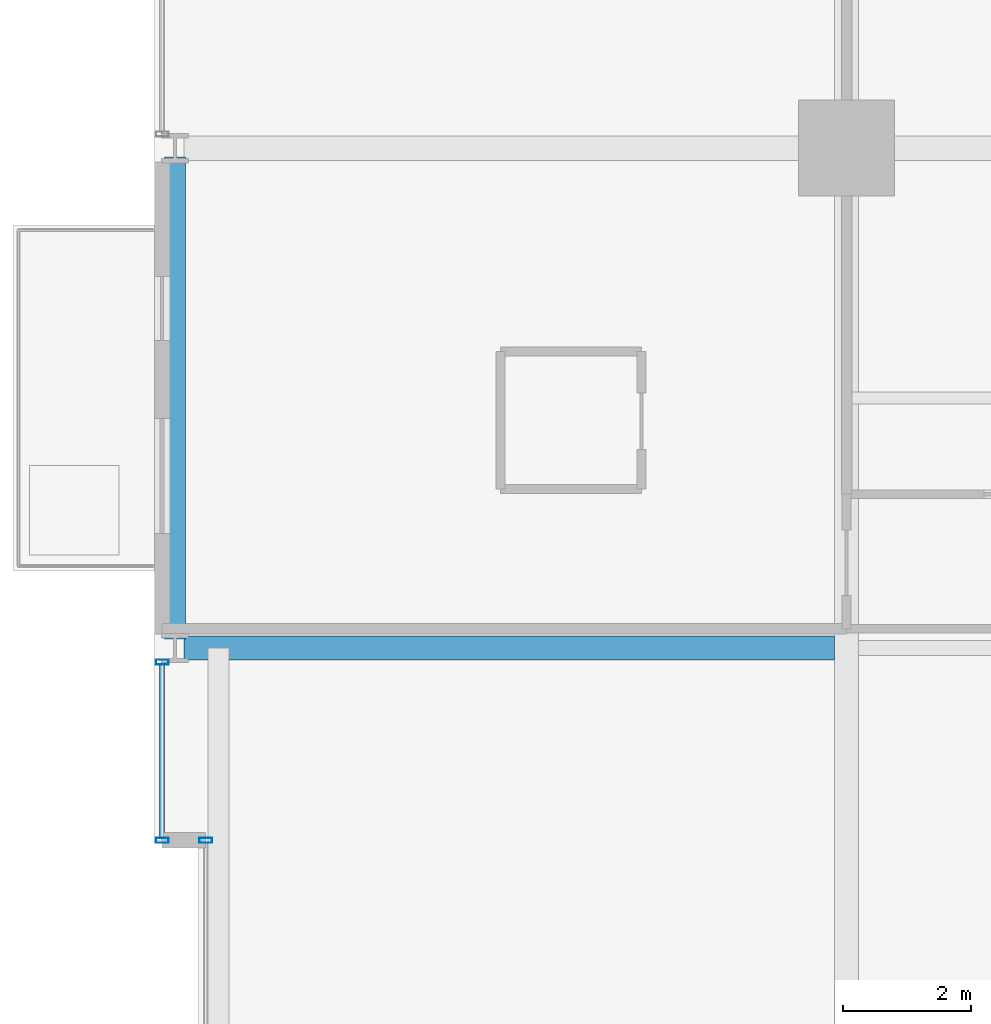
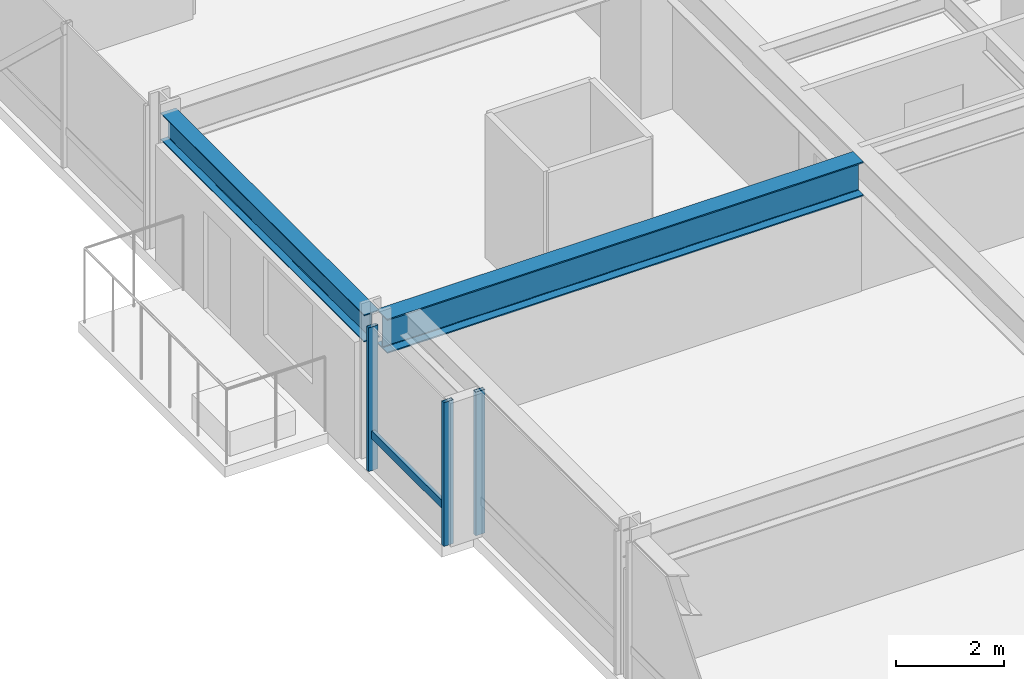
# One storey, part 16 of 33: 4 members, 2 beams, 2 elements without a shape of their own.
"""IFC4 building model written with IfcOpenShell, lengths in metres."""

from ifc_helpers import new_model, si_unit, direction, frame, origin, origin_2d, place, context, subcontext, project, spatial, hollow_rectangle, i_section, extrude, material, layer, layer_set, material_profile, profile_set, type_object, element, aggregate, save


model = new_model("IFC4")

# Units and contexts
model_context = context("Model", 3, precision=1e-05, world=origin(), true_north=direction((0.0, 1.0)))
body_context = subcontext(model_context, "Body", "Model", "MODEL_VIEW")
ifc_project = project(units=[si_unit("LENGTHUNIT", "METRE"), si_unit("AREAUNIT", "SQUARE_METRE"), si_unit("VOLUMEUNIT", "CUBIC_METRE"), si_unit("PLANEANGLEUNIT", "RADIAN"), si_unit("MASSUNIT", "GRAM", prefix="KILO")], contexts=[model_context])

# Site, building, storey
site_placement = place(None, origin())
site = spatial("IfcSite", under=ifc_project, at=site_placement, CompositionType="ELEMENT")
building_placement = place(site_placement, origin())
building = spatial("IfcBuilding", under=site, at=building_placement, Name="Drelvath Grand Hotel", CompositionType="ELEMENT")
storey_placement = place(building_placement, frame((0.0, 0.0, 105.800048828125)))
storey = spatial("IfcBuildingStorey", under=building, at=storey_placement, Name="L26", CompositionType="ELEMENT", Elevation=105.800048828125)

# Curtain wall, member
ifc_material_1 = material(Name="Champagne Bronze Anodised Aluminium Frame", Category="aluminium")
ifc_layer = layer(ifc_material_1, 0.199951171875)
ifc_layer_set = layer_set([ifc_layer], Name="Champagne Bronze Anodised Aluminium Frame")
curtain_wall_type = type_object("IfcCurtainWallType", Name="Stick Curtain Wall CW-03 Champagne Bronze Mid-Rise", PredefinedType="NOTDEFINED", material=ifc_layer_set)
curtain_wall_1_placement = place(storey_placement, origin())
curtain_wall_1 = element("IfcCurtainWall", 1, at=curtain_wall_1_placement, inside=storey, type_object=curtain_wall_type, Name="L26 CW-03 Curtain Wall CW03-L26-WN1", PredefinedType="NOTDEFINED")
ifc_material_profile_1 = material_profile(ifc_material_1, hollow_rectangle(XDim=0.074951171875, YDim=0.179931640625, WallThickness=0.0048828125, at=origin_2d()), Name="HSS180X75X5")
ifc_profile_set_1 = profile_set([ifc_material_profile_1], Name="Champagne Bronze Anodised Aluminium Frame")
member_type_1 = type_object("IfcMemberType", Name="Curtain Wall Horizontal Transom CW-03 HSS180X75X5", PredefinedType="USERDEFINED", material=ifc_profile_set_1)
member_1_placement = place(storey_placement, frame((-26.8798828125, 32.43994140625, 0.81005859375), z_axis=(0.0, 1.0, 0.0), x_axis=(-1.0, 0.0, 0.0)))
member_1 = element("IfcMember", 2, at=member_1_placement, type_object=member_type_1, Name="CW03-L26-WN1 Sill Transom", ObjectType="TRANSOM", PredefinedType="USERDEFINED", context=body_context, shape_type="SweptSolid", body=[
    extrude(hollow_rectangle(XDim=0.074951171875, YDim=0.179931640625, WallThickness=0.0048828125, at=origin_2d()), origin(), (0.0, 0.0, 1.0), 2.700439453125),
])

curtain_wall_2_placement = place(storey_placement, origin())
curtain_wall_2 = element("IfcCurtainWall", 3, at=curtain_wall_2_placement, inside=storey, type_object=curtain_wall_type, Name="L26 CW-03 Curtain Wall CW03-L26-WM2", PredefinedType="NOTDEFINED")
ifc_material_profile_2 = material_profile(ifc_material_1, hollow_rectangle(XDim=0.080078125, YDim=0.199951171875, WallThickness=0.0048828125, at=origin_2d()), Name="HSS200X80X5")
ifc_profile_set_2 = profile_set([ifc_material_profile_2], Name="Champagne Bronze Anodised Aluminium Frame")
member_type_2 = type_object("IfcMemberType", Name="Curtain Wall Vertical Mullion CW-03 HSS200X80X5", PredefinedType="MULLION", material=ifc_profile_set_2)
member_2_placement = place(storey_placement, frame((-26.199951171875, 32.39990234375, 0.0), z_axis=(0.0, 0.0, 1.0), x_axis=(0.0, 1.0, 0.0)))
member_2 = element("IfcMember", 4, at=member_2_placement, type_object=member_type_2, Name="CW03-L26-WM2 Mullion 2", PredefinedType="MULLION", context=body_context, shape_type="SweptSolid", body=[
    extrude(hollow_rectangle(XDim=0.080078125, YDim=0.199951171875, WallThickness=0.0048828125, at=origin_2d()), origin(), (0.0, 0.0, 1.0), 3.239990234375),
])
aggregate(curtain_wall_2, [member_2])

# Member
member_3_placement = place(storey_placement, frame((-26.8798828125, 32.39990234375, 0.0), z_axis=(0.0, 0.0, 1.0), x_axis=(0.0, 1.0, 0.0)))
member_3 = element("IfcMember", 5, at=member_3_placement, type_object=member_type_2, Name="CW03-L26-WN1 Mullion 1", PredefinedType="MULLION", context=body_context, shape_type="SweptSolid", body=[
    extrude(hollow_rectangle(XDim=0.080078125, YDim=0.199951171875, WallThickness=0.0048828125, at=origin_2d()), origin(), (0.0, 0.0, 1.0), 3.239990234375),
])

member_4_placement = place(storey_placement, frame((-26.8798828125, 35.180419921875, 0.0), z_axis=(0.0, 0.0, 1.0), x_axis=(0.0, 1.0, 0.0)))
member_4 = element("IfcMember", 6, at=member_4_placement, type_object=member_type_2, Name="CW03-L26-WN1 Mullion 2", PredefinedType="MULLION", context=body_context, shape_type="SweptSolid", body=[
    extrude(hollow_rectangle(XDim=0.080078125, YDim=0.199951171875, WallThickness=0.0048828125, at=origin_2d()), origin(), (0.0, 0.0, 1.0), 3.239990234375),
])

aggregate(curtain_wall_1, [member_3, member_4, member_1])

# Beams
ifc_material_2 = material(Name="Steel ASTM A992 Gr 50", Category="steel")
ifc_material_profile_3 = material_profile(ifc_material_2, i_section(OverallWidth=0.323974609375, OverallDepth=0.611083984375, WebThickness=0.0126953125, FlangeThickness=0.01904296875, FilletRadius=0.02197265625, at=origin_2d()), Name="W24X104")
ifc_profile_set_3 = profile_set([ifc_material_profile_3], Name="Steel ASTM A992 Gr 50")
beam_type_1 = type_object("IfcBeamType", Name="Perimeter Spandrel Beam W24X104", PredefinedType="SPANDREL", material=ifc_profile_set_3)
beam_1_placement = place(storey_placement, frame((-26.679931640625, 35.5400390625, 2.9345703125), z_axis=(0.0, 1.0, 0.0), x_axis=(-1.0, 0.0, 0.0)))
element("IfcBeam", 7, at=beam_1_placement, inside=storey, type_object=beam_type_1, Name="L26 Spandrel West N", PredefinedType="SPANDREL", context=body_context, shape_type="SweptSolid", body=[
    extrude(i_section(OverallWidth=0.323974609375, OverallDepth=0.611083984375, WebThickness=0.0126953125, FlangeThickness=0.01904296875, FilletRadius=0.02197265625, at=origin_2d()), origin(), (0.0, 0.0, 1.0), 7.52001953125),
])
ifc_material_profile_4 = material_profile(ifc_material_2, i_section(OverallWidth=0.380615234375, OverallDepth=0.773193359375, WebThickness=0.0166015625, FlangeThickness=0.027099609375, FilletRadius=0.02490234375, at=origin_2d()), Name="W30X173")
ifc_profile_set_4 = profile_set([ifc_material_profile_4], Name="Steel ASTM A992 Gr 50")
beam_type_2 = type_object("IfcBeamType", Name="Primary Floor Girder W30X173", PredefinedType="BEAM", material=ifc_profile_set_4)
beam_2_placement = place(storey_placement, frame((-26.5400390625, 35.39990234375, 2.853271484375), z_axis=(1.0, 0.0, 0.0), x_axis=(0.0, 1.0, 0.0)))
element("IfcBeam", 8, at=beam_2_placement, inside=storey, type_object=beam_type_2, Name="L26 West Wing Girder F", PredefinedType="BEAM", context=body_context, shape_type="SweptSolid", body=[
    extrude(i_section(OverallWidth=0.380615234375, OverallDepth=0.773193359375, WebThickness=0.0166015625, FlangeThickness=0.027099609375, FilletRadius=0.02490234375, at=origin_2d()), origin(), (0.0, 0.0, 1.0), 10.149658203125),
])

save(model, "model.ifc")
